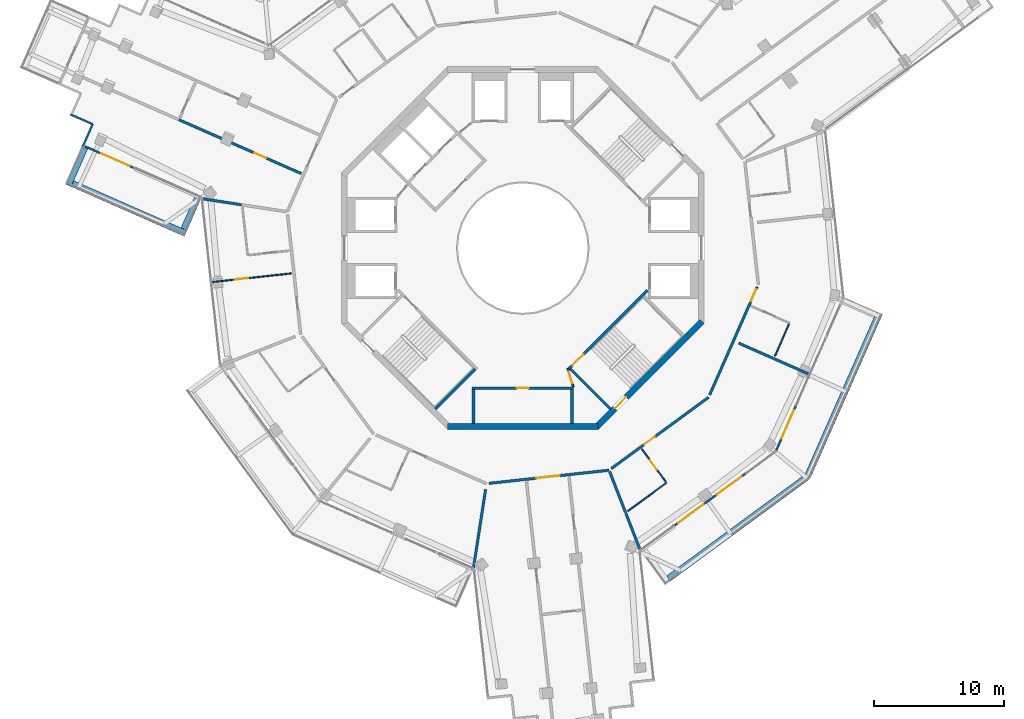
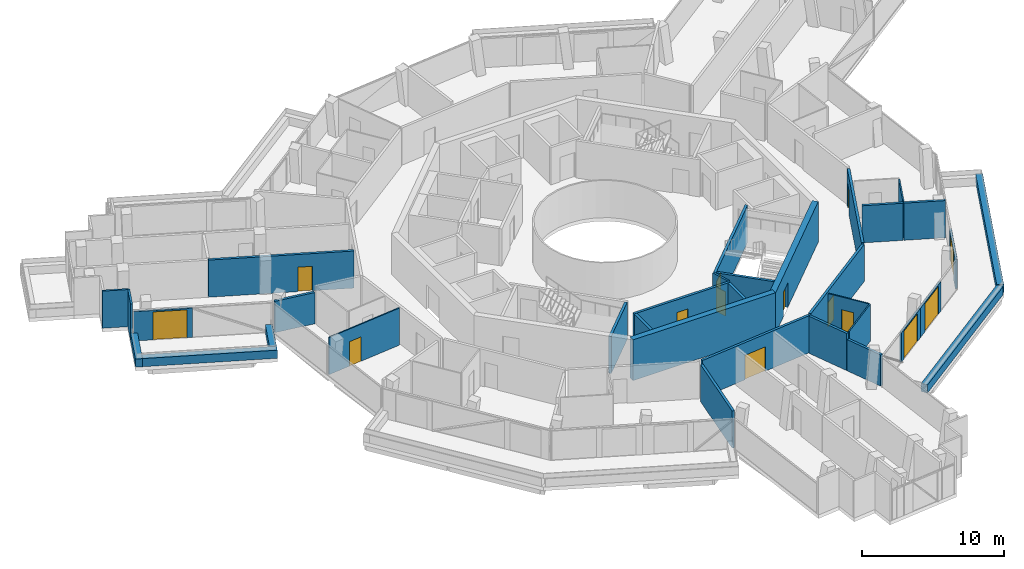
# One storey, part 17 of 24: 34 walls, 14 doors, 14 openings.
"""IFC4 building model written with IfcOpenShell, lengths in metres."""

from ifc_helpers import new_model, si_unit, direction, frame, frame_2d, origin, place, context, subcontext, project, spatial, rectangle, extrude, material, layer, layer_set, type_object, element, fill, save


model = new_model("IFC4")

# Units and contexts
model_context = context("Model", 3, precision=1e-05, world=origin(), true_north=direction((0.0, 1.0)))
body_context = subcontext(model_context, "Body", "Model", "MODEL_VIEW")
ifc_project = project(units=[si_unit("LENGTHUNIT", "METRE"), si_unit("AREAUNIT", "SQUARE_METRE"), si_unit("VOLUMEUNIT", "CUBIC_METRE"), si_unit("PLANEANGLEUNIT", "RADIAN"), si_unit("MASSUNIT", "GRAM", prefix="KILO")], contexts=[model_context])

# Site, building, storey
site_placement = place(None, origin())
site = spatial("IfcSite", under=ifc_project, at=site_placement, CompositionType="ELEMENT")
building_placement = place(site_placement, origin())
building = spatial("IfcBuilding", under=site, at=building_placement, Name="Verdalira Terraces Hotel", CompositionType="ELEMENT")
storey_placement = place(building_placement, frame((0.0, 0.0, 303.0)))
storey = spatial("IfcBuildingStorey", under=building, at=storey_placement, Name="L75", CompositionType="ELEMENT", Elevation=303.0)

# Walls
ifc_material_1 = material(Name="Concrete C40", Category="concrete")
ifc_layer_1 = layer(ifc_material_1, 0.5)
ifc_layer_set_1 = layer_set([ifc_layer_1], Name="Balcony planter trough with tree")
wall_type_1 = type_object("IfcWallType", Name="Balcony planter trough with tree", PredefinedType="SOLIDWALL", material=ifc_layer_set_1)
wall_1_placement = place(storey_placement, frame((-33.786621, 7.770508, 0.0), z_axis=(0.0, 0.0, 1.0), x_axis=(-0.4028716, -0.915256507, 0.0)))
element("IfcWall", 1, at=wall_1_placement, inside=storey, type_object=wall_type_1, Name="Balcony planter", PredefinedType="SOLIDWALL", context=body_context, shape_type="SweptSolid", body=[
    extrude(rectangle(XDim=3.198975, YDim=0.5, at=frame_2d((1.599609, 0.0))), origin(), (0.0, 0.0, 1.0), 0.699951),
])
wall_2_placement = place(storey_placement, frame((-34.74585, 4.970703, 0.0), z_axis=(0.0, 0.0, 1.0), x_axis=(0.915235059, -0.402920322, 0.0)))
element("IfcWall", 2, at=wall_2_placement, inside=storey, type_object=wall_type_1, Name="Balcony planter", PredefinedType="SOLIDWALL", context=body_context, shape_type="SweptSolid", body=[
    extrude(rectangle(XDim=9.545166, YDim=0.5, at=frame_2d((4.772461, 0.0))), origin(), (0.0, 0.0, 1.0), 0.699951),
])
wall_3_placement = place(storey_placement, frame((-26.137695, 1.454346, 0.0), z_axis=(0.0, 0.0, 1.0), x_axis=(0.402896241, 0.91524566, 0.0)))
element("IfcWall", 3, at=wall_3_placement, inside=storey, type_object=wall_type_1, Name="Balcony planter", PredefinedType="SOLIDWALL", context=body_context, shape_type="SweptSolid", body=[
    extrude(rectangle(XDim=2.698975, YDim=0.5, at=frame_2d((1.349609, 0.0))), origin(), (0.0, 0.0, 1.0), 0.699951),
])
wall_4_placement = place(storey_placement, frame((11.245361, -25.491943, 0.0), z_axis=(0.0, 0.0, 1.0), x_axis=(0.806549363, 0.591166749, 0.0)))
element("IfcWall", 4, at=wall_4_placement, inside=storey, type_object=wall_type_1, Name="Balcony planter", PredefinedType="SOLIDWALL", context=body_context, shape_type="SweptSolid", body=[
    extrude(rectangle(XDim=13.223633, YDim=0.5, at=frame_2d((6.611816, 0.0))), origin(), (0.0, 0.0, 1.0), 0.699951),
])
wall_5_placement = place(storey_placement, frame((21.991699, -17.57373, 0.0), z_axis=(0.0, 0.0, 1.0), x_axis=(0.402907326, 0.915240781, 0.0)))
element("IfcWall", 5, at=wall_5_placement, inside=storey, type_object=wall_type_1, Name="Balcony planter", PredefinedType="SOLIDWALL", context=body_context, shape_type="SweptSolid", body=[
    extrude(rectangle(XDim=13.723389, YDim=0.5, at=frame_2d((6.861816, 0.0))), origin(), (0.0, 0.0, 1.0), 0.699951),
])

# Wall, opening, door
ifc_material_2 = material(Name="Moisture-resistant gypsum board partition")
ifc_layer_2 = layer(ifc_material_2, 0.10009765625)
ifc_layer_set_2 = layer_set([ifc_layer_2], Name="Bathroom partition 100 mm")
wall_type_2 = type_object("IfcWallType", Name="Bathroom partition 100 mm", PredefinedType="PARTITIONING", material=ifc_layer_set_2)
wall_6_placement = place(storey_placement, frame((-23.965576, -2.620361, 0.0), z_axis=(0.0, 0.0, 1.0), x_axis=(0.994075847, 0.10868859, 0.0)))
wall_6 = element("IfcWall", 6, at=wall_6_placement, inside=storey, type_object=wall_type_2, Name="Bathroom partition", PredefinedType="PARTITIONING", context=body_context, shape_type="SweptSolid", body=[
    extrude(rectangle(XDim=6.150146, YDim=0.100098, at=frame_2d((3.075195, 0.0))), origin(), (0.0, 0.0, 1.0), 3.189941),
])
opening_1_placement = place(wall_6_placement, frame((1.800049, 0.0, 0.0)))
opening_1 = element("IfcOpeningElement", 7, at=opening_1_placement, cuts=wall_6, Name="Opening L75-106", PredefinedType="OPENING", context=body_context, shape_type="SweptSolid", body=[
    extrude(rectangle(XDim=1.0, YDim=2.100098, at=frame_2d((0.5, 1.050049))), frame((0.0, 0.060059, 0.0), z_axis=(0.0, -1.0, 0.0), x_axis=(1.0, 0.0, 0.0)), (0.0, 0.0, 1.0), 0.120117),
])
ifc_material_3 = material(Name="Timber door", Category="wood")
door_type_1 = type_object("IfcDoorType", Name="Suite internal door 1000 x 2100", OperationType="NOTDEFINED", PredefinedType="DOOR", material=ifc_material_3)
door_1_placement = place(opening_1_placement, origin())
door_1 = element("IfcDoor", 8, at=door_1_placement, inside=storey, type_object=door_type_1, Name="Suite internal door 7502", OperationType="SINGLE_SWING_LEFT", OverallHeight=2.10009765625, OverallWidth=1.0, PredefinedType="DOOR", context=body_context, shape_type="SweptSolid", body=[
    extrude(rectangle(XDim=1.0, YDim=2.100098, at=frame_2d((0.5, 1.050049))), frame((0.0, 0.024902, 0.0), z_axis=(0.0, -1.0, 0.0), x_axis=(1.0, 0.0, 0.0)), (0.0, 0.0, 1.0), 0.050049),
])
fill(opening_1, door_1)

# Wall
wall_7_placement = place(storey_placement, frame((11.090088, -18.104736, 0.0), z_axis=(0.0, 0.0, 1.0), x_axis=(-0.806587268, -0.59111503, 0.0)))
element("IfcWall", 9, at=wall_7_placement, inside=storey, type_object=wall_type_2, Name="Bathroom partition", PredefinedType="PARTITIONING", context=body_context, shape_type="SweptSolid", body=[
    extrude(rectangle(XDim=3.703857, YDim=0.100098, at=frame_2d((1.852051, 0.0))), origin(), (0.0, 0.0, 1.0), 3.189941),
])

# Wall, opening, door
wall_8_placement = place(storey_placement, frame((11.031006, -18.023926, 0.0), z_axis=(0.0, 0.0, 1.0), x_axis=(-0.5912066, 0.806520153, 0.0)))
wall_8 = element("IfcWall", 10, at=wall_8_placement, inside=storey, type_object=wall_type_2, Name="Bathroom partition", PredefinedType="PARTITIONING", context=body_context, shape_type="SweptSolid", body=[
    extrude(rectangle(XDim=3.100098, YDim=0.100098, at=frame_2d((1.550049, 0.0))), origin(), (0.0, 0.0, 1.0), 3.189941),
])
opening_2_placement = place(wall_8_placement, frame((1.149902, 0.0, 0.0)))
opening_2 = element("IfcOpeningElement", 11, at=opening_2_placement, cuts=wall_8, Name="Opening L75-117", PredefinedType="OPENING", context=body_context, shape_type="SweptSolid", body=[
    extrude(rectangle(XDim=0.899902, YDim=2.100098, at=frame_2d((0.449951, 1.050049))), frame((0.0, 0.060059, 0.0), z_axis=(0.0, -1.0, 0.0), x_axis=(1.0, 0.0, 0.0)), (0.0, 0.0, 1.0), 0.120117),
])
ifc_material_4 = material(Name="Timber door", Category="wood")
door_type_2 = type_object("IfcDoorType", Name="Bathroom door 900 x 2100", OperationType="NOTDEFINED", PredefinedType="DOOR", material=ifc_material_4)
door_2_placement = place(opening_2_placement, origin())
door_2 = element("IfcDoor", 12, at=door_2_placement, inside=storey, type_object=door_type_2, Name="Bathroom door 7506", OperationType="SINGLE_SWING_LEFT", OverallHeight=2.10009765625, OverallWidth=0.89990234375, PredefinedType="DOOR", context=body_context, shape_type="SweptSolid", body=[
    extrude(rectangle(XDim=0.899902, YDim=2.100098, at=frame_2d((0.449951, 1.050049))), frame((0.0, 0.024902, 0.0), z_axis=(0.0, -1.0, 0.0), x_axis=(1.0, 0.0, 0.0)), (0.0, 0.0, 1.0), 0.050049),
])
fill(opening_2, door_2)

# Wall
wall_9_placement = place(storey_placement, frame((20.533447, -5.870605, 0.0), z_axis=(0.0, 0.0, 1.0), x_axis=(-0.402914357, -0.915237685, 0.0)))
element("IfcWall", 13, at=wall_9_placement, inside=storey, type_object=wall_type_2, Name="Bathroom partition", PredefinedType="PARTITIONING", context=body_context, shape_type="SweptSolid", body=[
    extrude(rectangle(XDim=2.699951, YDim=0.100098, at=frame_2d((1.350098, 0.0))), origin(), (0.0, 0.0, 1.0), 3.189941),
])

# Wall, opening, door
ifc_material_5 = material(Name="Concrete C50", Category="concrete")
ifc_layer_3 = layer(ifc_material_5, 0.199951171875)
ifc_layer_set_3 = layer_set([ifc_layer_3], Name="Core RC wall 200 C50")
wall_type_3 = type_object("IfcWallType", Name="Core RC wall 200 C50", PredefinedType="SOLIDWALL", material=ifc_layer_set_3)
wall_10_placement = place(storey_placement, frame((-3.899902, -10.800049, 0.0), z_axis=(0.0, 0.0, 1.0), x_axis=(1.0, 0.0, 0.0)))
wall_10 = element("IfcWall", 14, at=wall_10_placement, inside=storey, type_object=wall_type_3, Name="L75 store front wall", PredefinedType="SOLIDWALL", context=body_context, shape_type="SweptSolid", body=[
    extrude(rectangle(XDim=7.799805, YDim=0.199951, at=frame_2d((3.899902, 0.0))), origin(), (0.0, 0.0, 1.0), 3.189941),
])
opening_3_placement = place(wall_10_placement, frame((3.449951, 0.0, 0.0)))
opening_3 = element("IfcOpeningElement", 15, at=opening_3_placement, cuts=wall_10, Name="Opening L75-801", PredefinedType="OPENING", context=body_context, shape_type="SweptSolid", body=[
    extrude(rectangle(XDim=0.899902, YDim=2.100098, at=frame_2d((0.449951, 1.050049))), frame((0.0, 0.109863, 0.0), z_axis=(0.0, -1.0, 0.0), x_axis=(1.0, 0.0, 0.0)), (0.0, 0.0, 1.0), 0.219971),
])
ifc_material_6 = material(Name="Steel fire door", Category="steel")
door_type_3 = type_object("IfcDoorType", Name="Core room door 900 x 2100", OperationType="NOTDEFINED", PredefinedType="DOOR", material=ifc_material_6)
door_3_placement = place(opening_3_placement, origin())
door_3 = element("IfcDoor", 16, at=door_3_placement, inside=storey, type_object=door_type_3, Name="Store door L75 SS", OperationType="SINGLE_SWING_LEFT", OverallHeight=2.10009765625, OverallWidth=0.89990234375, PredefinedType="DOOR", context=body_context, shape_type="SweptSolid", body=[
    extrude(rectangle(XDim=0.899902, YDim=2.100098, at=frame_2d((0.449951, 1.050049))), frame((0.0, 0.024902, 0.0), z_axis=(0.0, -1.0, 0.0), x_axis=(1.0, 0.0, 0.0)), (0.0, 0.0, 1.0), 0.050049),
])
fill(opening_3, door_3)

# Walls
for number, where, z_axis, x_axis, name in (
    (17, (-3.800049, -10.899902, 0.0), (0.0, 0.0, 1.0), (0.0, -1.0, 0.0), "L75 store side wall"),
    (18, (3.800049, -10.899902, 0.0), (0.0, 0.0, 1.0), (0.0, -1.0, 0.0), "L75 store side wall"),
):
    element("IfcWall", number, at=place(storey_placement, frame(where, z_axis=z_axis, x_axis=x_axis)), inside=storey, type_object=wall_type_3, Name=name, PredefinedType="SOLIDWALL", context=body_context, shape_type="SweptSolid", body=[
        extrude(rectangle(XDim=2.650146, YDim=0.199951, at=frame_2d((1.325195, 0.0))), origin(), (0.0, 0.0, 1.0), 3.189941),
    ])
wall_11_placement = place(storey_placement, frame((-3.677002, -9.33374, 0.0), z_axis=(0.0, 0.0, 1.0), x_axis=(-0.707106781, -0.707106781, 0.0)))
element("IfcWall", 19, at=wall_11_placement, inside=storey, type_object=wall_type_3, Name="L75 stair ST2 end wall 2", PredefinedType="SOLIDWALL", context=body_context, shape_type="SweptSolid", body=[
    extrude(rectangle(XDim=4.350098, YDim=0.199951, at=frame_2d((2.175049, 0.0))), origin(), (0.0, 0.0, 1.0), 3.189941),
])

# Wall, opening, door
wall_12_placement = place(storey_placement, frame((9.629395, -3.23999, 0.0), z_axis=(0.0, 0.0, 1.0), x_axis=(-0.707120946, -0.707092617, 0.0)))
wall_12 = element("IfcWall", 20, at=wall_12_placement, inside=storey, type_object=wall_type_3, Name="L75 stair ST3 front wall", PredefinedType="SOLIDWALL", context=body_context, shape_type="SweptSolid", body=[
    extrude(rectangle(XDim=8.61792, YDim=0.199951, at=frame_2d((4.309082, 0.0))), origin(), (0.0, 0.0, 1.0), 3.189941),
])
opening_4_placement = place(wall_12_placement, frame((7.017822, 0.0, 0.0)))
opening_4 = element("IfcOpeningElement", 21, at=opening_4_placement, cuts=wall_12, Name="Opening L75-812", PredefinedType="OPENING", context=body_context, shape_type="SweptSolid", body=[
    extrude(rectangle(XDim=1.199951, YDim=2.100098, at=frame_2d((0.600098, 1.050049))), frame((0.0, 0.109863, 0.0), z_axis=(0.0, -1.0, 0.0), x_axis=(1.0, 0.0, 0.0)), (0.0, 0.0, 1.0), 0.219971),
])
ifc_material_7 = material(Name="Steel fire door", Category="steel")
door_type_4 = type_object("IfcDoorType", Name="Stair door 1200 x 2100", OperationType="NOTDEFINED", PredefinedType="DOOR", material=ifc_material_7)
door_4_placement = place(opening_4_placement, origin())
door_4 = element("IfcDoor", 22, at=door_4_placement, inside=storey, type_object=door_type_4, Name="Stair door ST3 L75", OperationType="SINGLE_SWING_RIGHT", OverallHeight=2.10009765625, OverallWidth=1.199951171875, PredefinedType="DOOR", context=body_context, shape_type="SweptSolid", body=[
    extrude(rectangle(XDim=1.199951, YDim=2.100098, at=frame_2d((0.600098, 1.050049))), frame((0.0, 0.024902, 0.0), z_axis=(0.0, -1.0, 0.0), x_axis=(1.0, 0.0, 0.0)), (0.0, 0.0, 1.0), 0.050049),
])
fill(opening_4, door_4)

# Wall
wall_13_placement = place(storey_placement, frame((3.677002, -9.33374, 0.0), z_axis=(0.0, 0.0, 1.0), x_axis=(0.707106781, -0.707106781, 0.0)))
element("IfcWall", 23, at=wall_13_placement, inside=storey, type_object=wall_type_3, Name="L75 stair ST3 end wall 1", PredefinedType="SOLIDWALL", context=body_context, shape_type="SweptSolid", body=[
    extrude(rectangle(XDim=4.350098, YDim=0.199951, at=frame_2d((2.175049, 0.0))), origin(), (0.0, 0.0, 1.0), 3.189941),
])

# Wall, opening, door
ifc_material_8 = material(Name="Gypsum board partition")
ifc_layer_4 = layer(ifc_material_8, 0.14990234375)
ifc_layer_set_4 = layer_set([ifc_layer_4], Name="Core partition 150 mm")
wall_type_4 = type_object("IfcWallType", Name="Core partition 150 mm", PredefinedType="PARTITIONING", material=ifc_layer_set_4)
wall_14_placement = place(storey_placement, frame((3.899902, -10.699951, 0.0), z_axis=(0.0, 0.0, 1.0), x_axis=(-0.289808785, 0.957084567, 0.0)))
wall_14 = element("IfcWall", 24, at=wall_14_placement, inside=storey, type_object=wall_type_4, Name="Room partition L75", PredefinedType="PARTITIONING", context=body_context, shape_type="SweptSolid", body=[
    extrude(rectangle(XDim=1.501221, YDim=0.149902, at=frame_2d((0.750488, 0.0))), origin(), (0.0, 0.0, 1.0), 3.189941),
])
opening_5_placement = place(wall_14_placement, frame((0.300781, 0.0, 0.0)))
opening_5 = element("IfcOpeningElement", 25, at=opening_5_placement, cuts=wall_14, Name="Opening L75-822", PredefinedType="OPENING", context=body_context, shape_type="SweptSolid", body=[
    extrude(rectangle(XDim=0.899902, YDim=2.100098, at=frame_2d((0.449951, 1.050049))), frame((0.0, 0.084961, 0.0), z_axis=(0.0, -1.0, 0.0), x_axis=(1.0, 0.0, 0.0)), (0.0, 0.0, 1.0), 0.169922),
])
door_5_placement = place(opening_5_placement, origin())
door_5 = element("IfcDoor", 26, at=door_5_placement, inside=storey, type_object=door_type_3, Name="Door L75 room6", OperationType="SINGLE_SWING_LEFT", OverallHeight=2.10009765625, OverallWidth=0.89990234375, PredefinedType="DOOR", context=body_context, shape_type="SweptSolid", body=[
    extrude(rectangle(XDim=0.899902, YDim=2.100098, at=frame_2d((0.449951, 1.050049))), frame((0.0, 0.024902, 0.0), z_axis=(0.0, -1.0, 0.0), x_axis=(1.0, 0.0, 0.0)), (0.0, 0.0, 1.0), 0.050049),
])
fill(opening_5, door_5)

# Wall
ifc_material_9 = material(Name="Concrete C50", Category="concrete")
ifc_layer_5 = layer(ifc_material_9, 0.449951171875)
ifc_layer_set_5 = layer_set([ifc_layer_5], Name="Core wall 450 C50")
wall_type_5 = type_object("IfcWallType", Name="Core wall 450 C50", PredefinedType="SHEAR", material=ifc_layer_set_5)
wall_15_placement = place(storey_placement, frame((-5.799072, -13.774902, 0.0), z_axis=(0.0, 0.0, 1.0), x_axis=(1.0, 0.0, 0.0)))
element("IfcWall", 27, at=wall_15_placement, inside=storey, type_object=wall_type_5, Name="Core wall CW-L75-7", PredefinedType="SHEAR", context=body_context, shape_type="SweptSolid", body=[
    extrude(rectangle(XDim=11.598145, YDim=0.449951, at=frame_2d((5.799072, 0.0))), origin(), (0.0, 0.0, 1.0), 3.5),
])

# Wall, opening, door
wall_16_placement = place(storey_placement, frame((5.639893, -13.84082, 0.0), z_axis=(0.0, 0.0, 1.0), x_axis=(0.707106781, 0.707106781, 0.0)))
wall_16 = element("IfcWall", 28, at=wall_16_placement, inside=storey, type_object=wall_type_5, Name="Core wall CW-L75-8", PredefinedType="SHEAR", context=body_context, shape_type="SweptSolid", body=[
    extrude(rectangle(XDim=11.5979, YDim=0.449951, at=frame_2d((5.798828, 0.0))), origin(), (0.0, 0.0, 1.0), 3.5),
])
opening_6_placement = place(wall_16_placement, frame((2.099121, 0.0, 0.0)))
opening_6 = element("IfcOpeningElement", 29, at=opening_6_placement, cuts=wall_16, Name="Opening L75-818", PredefinedType="OPENING", context=body_context, shape_type="SweptSolid", body=[
    extrude(rectangle(XDim=1.199951, YDim=2.100098, at=frame_2d((0.600098, 1.050049))), frame((0.0, 0.234863, 0.0), z_axis=(0.0, -1.0, 0.0), x_axis=(1.0, 0.0, 0.0)), (0.0, 0.0, 1.0), 0.469971),
])
door_6_placement = place(opening_6_placement, origin())
door_6 = element("IfcDoor", 30, at=door_6_placement, inside=storey, type_object=door_type_4, Name="Stair exit door ST3 L75", OperationType="SINGLE_SWING_LEFT", OverallHeight=2.10009765625, OverallWidth=1.199951171875, PredefinedType="DOOR", context=body_context, shape_type="SweptSolid", body=[
    extrude(rectangle(XDim=1.199951, YDim=2.100098, at=frame_2d((0.600098, 1.050049))), frame((0.0, 0.024902, 0.0), z_axis=(0.0, -1.0, 0.0), x_axis=(1.0, 0.0, 0.0)), (0.0, 0.0, 1.0), 0.050049),
])
fill(opening_6, door_6)

ifc_material_10 = material(Name="Fire-rated gypsum board wall")
ifc_layer_6 = layer(ifc_material_10, 0.199951171875)
ifc_layer_set_6 = layer_set([ifc_layer_6], Name="Demising wall 200 mm")
wall_type_6 = type_object("IfcWallType", Name="Demising wall 200 mm", PredefinedType="SOLIDWALL", material=ifc_layer_set_6)
wall_17_placement = place(storey_placement, frame((-17.090332, 5.749512, 0.0), z_axis=(0.0, 0.0, 1.0), x_axis=(-0.915247229, 0.402892678, 0.0)))
wall_17 = element("IfcWall", 31, at=wall_17_placement, inside=storey, type_object=wall_type_6, Name="Demising wall", PredefinedType="SOLIDWALL", context=body_context, shape_type="SweptSolid", body=[
    extrude(rectangle(XDim=10.302002, YDim=0.199951, at=frame_2d((5.150879, 0.0))), origin(), (0.0, 0.0, 1.0), 3.189941),
])
opening_7_placement = place(wall_17_placement, frame((2.949951, 0.0, 0.0)))
opening_7 = element("IfcOpeningElement", 32, at=opening_7_placement, cuts=wall_17, Name="Opening L75-103", PredefinedType="OPENING", context=body_context, shape_type="SweptSolid", body=[
    extrude(rectangle(XDim=1.0, YDim=2.100098, at=frame_2d((0.5, 1.050049))), frame((0.0, 0.109863, 0.0), z_axis=(0.0, -1.0, 0.0), x_axis=(1.0, 0.0, 0.0)), (0.0, 0.0, 1.0), 0.219971),
])
ifc_material_11 = material(Name="Timber fire door", Category="wood")
door_type_5 = type_object("IfcDoorType", Name="Public room door 1000 x 2100", OperationType="NOTDEFINED", PredefinedType="DOOR", material=ifc_material_11)
door_7_placement = place(opening_7_placement, origin())
door_7 = element("IfcDoor", 33, at=door_7_placement, inside=storey, type_object=door_type_5, Name="Public room door 7501", OperationType="SINGLE_SWING_LEFT", OverallHeight=2.10009765625, OverallWidth=1.0, PredefinedType="DOOR", context=body_context, shape_type="SweptSolid", body=[
    extrude(rectangle(XDim=1.0, YDim=2.100098, at=frame_2d((0.5, 1.050049))), frame((0.0, 0.024902, 0.0), z_axis=(0.0, -1.0, 0.0), x_axis=(1.0, 0.0, 0.0)), (0.0, 0.0, 1.0), 0.050049),
])
fill(opening_7, door_7)

# Walls
wall_18_placement = place(storey_placement, frame((-3.802002, -24.672852, 0.0), z_axis=(0.0, 0.0, 1.0), x_axis=(0.152326438, 0.988330237, 0.0)))
element("IfcWall", 34, at=wall_18_placement, inside=storey, type_object=wall_type_6, Name="Demising wall", PredefinedType="SOLIDWALL", context=body_context, shape_type="SweptSolid", body=[
    extrude(rectangle(XDim=6.13208, YDim=0.199951, at=frame_2d((3.065918, 0.0))), origin(), (0.0, 0.0, 1.0), 3.189941),
])
wall_19_placement = place(storey_placement, frame((6.697998, -17.232422, 0.0), z_axis=(0.0, 0.0, 1.0), x_axis=(0.362236017, -0.932086406, 0.0)))
element("IfcWall", 35, at=wall_19_placement, inside=storey, type_object=wall_type_6, Name="Demising wall", PredefinedType="SOLIDWALL", context=body_context, shape_type="SweptSolid", body=[
    extrude(rectangle(XDim=3.418457, YDim=0.199951, at=frame_2d((1.709229, 0.0))), origin(), (0.0, 0.0, 1.0), 3.189941),
])
wall_20_placement = place(storey_placement, frame((16.662598, -7.335205, 0.0), z_axis=(0.0, 0.0, 1.0), x_axis=(0.915227017, -0.402938591, 0.0)))
element("IfcWall", 36, at=wall_20_placement, inside=storey, type_object=wall_type_6, Name="Demising wall", PredefinedType="SOLIDWALL", context=body_context, shape_type="SweptSolid", body=[
    extrude(rectangle(XDim=2.904785, YDim=0.199951, at=frame_2d((1.452393, 0.0))), origin(), (0.0, 0.0, 1.0), 3.189941),
])
wall_21_placement = place(storey_placement, frame((19.363037, -8.523926, 0.0), z_axis=(0.0, 0.0, 1.0), x_axis=(0.915238191, -0.402913208, 0.0)))
element("IfcWall", 37, at=wall_21_placement, inside=storey, type_object=wall_type_6, Name="Demising wall", PredefinedType="SOLIDWALL", context=body_context, shape_type="SweptSolid", body=[
    extrude(rectangle(XDim=2.952148, YDim=0.199951, at=frame_2d((1.476074, 0.0))), origin(), (0.0, 0.0, 1.0), 3.189941),
])
ifc_material_12 = material(Name="Fire-rated gypsum board wall")
ifc_layer_7 = layer(ifc_material_12, 0.199951171875)
ifc_layer_set_7 = layer_set([ifc_layer_7], Name="Demising wall 200 mm to beam soffit")
wall_type_7 = type_object("IfcWallType", Name="Demising wall 200 mm to beam soffit", PredefinedType="SOLIDWALL", material=ifc_layer_set_7)
for number, where, z_axis, x_axis, name in (
    (38, (-21.696533, 3.343262, 0.0), (0.0, 0.0, 1.0), (-0.988329484, 0.152331318, 0.0), "Demising wall"),
    (39, (7.952881, -20.461426, 0.0), (0.0, 0.0, 1.0), (0.362301505, -0.932060953, 0.0), "Demising wall"),
):
    element("IfcWall", number, at=place(storey_placement, frame(where, z_axis=z_axis, x_axis=x_axis)), inside=storey, type_object=wall_type_7, Name=name, PredefinedType="SOLIDWALL", context=body_context, shape_type="SweptSolid", body=[
        extrude(rectangle(XDim=3.011475, YDim=0.199951, at=frame_2d((1.505859, 0.0))), origin(), (0.0, 0.0, 1.0), 2.689941),
    ])

# Wall, opening, door
ifc_material_13 = material(Name="Fire-rated gypsum board wall")
ifc_layer_8 = layer(ifc_material_13, 0.199951171875)
ifc_layer_set_8 = layer_set([ifc_layer_8], Name="Guest corridor wall 200 mm")
wall_type_8 = type_object("IfcWallType", Name="Guest corridor wall 200 mm", PredefinedType="SOLIDWALL", material=ifc_layer_set_8)
wall_22_placement = place(storey_placement, frame((6.6604, -17.135986, 0.0), z_axis=(0.0, 0.0, 1.0), x_axis=(-0.994074922, -0.108697055, 0.0)))
wall_22 = element("IfcWall", 40, at=wall_22_placement, inside=storey, type_object=wall_type_8, Name="Guest corridor wall", PredefinedType="SOLIDWALL", context=body_context, shape_type="SweptSolid", body=[
    extrude(rectangle(XDim=9.31665, YDim=0.199951, at=frame_2d((4.658203, 0.0))), origin(), (0.0, 0.0, 1.0), 3.189941),
])
opening_8_placement = place(wall_22_placement, frame((3.834717, 0.0, 0.0)))
opening_8 = element("IfcOpeningElement", 41, at=opening_8_placement, cuts=wall_22, Name="Opening L75-112", PredefinedType="OPENING", context=body_context, shape_type="SweptSolid", body=[
    extrude(rectangle(XDim=1.800049, YDim=2.100098, at=frame_2d((0.899902, 1.050049))), frame((0.0, 0.109863, 0.0), z_axis=(0.0, -1.0, 0.0), x_axis=(1.0, 0.0, 0.0)), (0.0, 0.0, 1.0), 0.219971),
])
ifc_material_14 = material(Name="Timber fire door", Category="wood")
door_type_6 = type_object("IfcDoorType", Name="Public room double door 1800 x 2100", OperationType="NOTDEFINED", PredefinedType="DOOR", material=ifc_material_14)
door_8_placement = place(opening_8_placement, origin())
door_8 = element("IfcDoor", 42, at=door_8_placement, inside=storey, type_object=door_type_6, Name="Public room double door 7505", OperationType="DOUBLE_DOOR_SINGLE_SWING", OverallHeight=2.10009765625, OverallWidth=1.800048828125, PredefinedType="DOOR", context=body_context, shape_type="SweptSolid", body=[
    extrude(rectangle(XDim=1.800049, YDim=2.100098, at=frame_2d((0.899902, 1.050049))), frame((0.0, 0.024902, 0.0), z_axis=(0.0, -1.0, 0.0), x_axis=(1.0, 0.0, 0.0)), (0.0, 0.0, 1.0), 0.050049),
])
fill(opening_8, door_8)

wall_23_placement = place(storey_placement, frame((14.335693, -11.510254, 0.0), z_axis=(0.0, 0.0, 1.0), x_axis=(-0.806552438, -0.591162553, 0.0)))
wall_23 = element("IfcWall", 43, at=wall_23_placement, inside=storey, type_object=wall_type_8, Name="Guest corridor wall", PredefinedType="SOLIDWALL", context=body_context, shape_type="SweptSolid", body=[
    extrude(rectangle(XDim=9.316162, YDim=0.199951, at=frame_2d((4.658203, 0.0))), origin(), (0.0, 0.0, 1.0), 3.189941),
])
opening_9_placement = place(wall_23_placement, frame((5.149902, 0.0, 0.0)))
opening_9 = element("IfcOpeningElement", 44, at=opening_9_placement, cuts=wall_23, Name="Opening L75-116", PredefinedType="OPENING", context=body_context, shape_type="SweptSolid", body=[
    extrude(rectangle(XDim=1.0, YDim=2.100098, at=frame_2d((0.5, 1.050049))), frame((0.0, 0.109863, 0.0), z_axis=(0.0, -1.0, 0.0), x_axis=(1.0, 0.0, 0.0)), (0.0, 0.0, 1.0), 0.219971),
])
ifc_material_15 = material(Name="Timber fire door", Category="wood")
door_type_7 = type_object("IfcDoorType", Name="Guest entry door 1000 x 2100", OperationType="NOTDEFINED", PredefinedType="DOOR", material=ifc_material_15)
door_9_placement = place(opening_9_placement, origin())
door_9 = element("IfcDoor", 45, at=door_9_placement, inside=storey, type_object=door_type_7, Name="Guest entry door 7506", OperationType="SINGLE_SWING_LEFT", OverallHeight=2.10009765625, OverallWidth=1.0, PredefinedType="DOOR", context=body_context, shape_type="SweptSolid", body=[
    extrude(rectangle(XDim=1.0, YDim=2.100098, at=frame_2d((0.5, 1.050049))), frame((0.0, 0.024902, 0.0), z_axis=(0.0, -1.0, 0.0), x_axis=(1.0, 0.0, 0.0)), (0.0, 0.0, 1.0), 0.050049),
])
fill(opening_9, door_9)

wall_24_placement = place(storey_placement, frame((18.0896, -2.983398, 0.0), z_axis=(0.0, 0.0, 1.0), x_axis=(-0.402915421, -0.915237217, 0.0)))
wall_24 = element("IfcWall", 46, at=wall_24_placement, inside=storey, type_object=wall_type_8, Name="Guest corridor wall", PredefinedType="SOLIDWALL", context=body_context, shape_type="SweptSolid", body=[
    extrude(rectangle(XDim=9.115723, YDim=0.199951, at=frame_2d((4.557861, 0.0))), origin(), (0.0, 0.0, 1.0), 3.189941),
])
opening_10_placement = place(wall_24_placement, frame((0.199951, 0.0, 0.0)))
opening_10 = element("IfcOpeningElement", 47, at=opening_10_placement, cuts=wall_24, Name="Opening L75-118", PredefinedType="OPENING", context=body_context, shape_type="SweptSolid", body=[
    extrude(rectangle(XDim=1.0, YDim=2.100098, at=frame_2d((0.5, 1.050049))), frame((0.0, 0.109863, 0.0), z_axis=(0.0, -1.0, 0.0), x_axis=(1.0, 0.0, 0.0)), (0.0, 0.0, 1.0), 0.219971),
])
door_10_placement = place(opening_10_placement, origin())
door_10 = element("IfcDoor", 48, at=door_10_placement, inside=storey, type_object=door_type_7, Name="Guest entry door 7507", OperationType="SINGLE_SWING_LEFT", OverallHeight=2.10009765625, OverallWidth=1.0, PredefinedType="DOOR", context=body_context, shape_type="SweptSolid", body=[
    extrude(rectangle(XDim=1.0, YDim=2.100098, at=frame_2d((0.5, 1.050049))), frame((0.0, 0.024902, 0.0), z_axis=(0.0, -1.0, 0.0), x_axis=(1.0, 0.0, 0.0)), (0.0, 0.0, 1.0), 0.050049),
])
fill(opening_10, door_10)

# Walls
ifc_material_16 = material(Name="Terracotta cladding", Category="masonry")
ifc_layer_9 = layer(ifc_material_16, 0.14990234375)
ifc_layer_set_9 = layer_set([ifc_layer_9], Name="Terracotta clad wall 150")
wall_type_9 = type_object("IfcWallType", Name="Terracotta clad wall 150", PredefinedType="SOLIDWALL", material=ifc_layer_set_9)
for number, where, z_axis, x_axis, name in (
    (49, (-34.906982, 10.313477, 0.0), (0.0, 0.0, 1.0), (0.915207485, -0.402982952, 0.0), "Terracotta cladding wall"),
    (50, (-33.190918, 9.557861, 0.0), (0.0, 0.0, 1.0), (-0.402873883, -0.915255502, 0.0), "Terracotta cladding wall"),
):
    element("IfcWall", number, at=place(storey_placement, frame(where, z_axis=z_axis, x_axis=x_axis)), inside=storey, type_object=wall_type_9, Name=name, PredefinedType="SOLIDWALL", context=body_context, shape_type="SweptSolid", body=[
        extrude(rectangle(XDim=1.875, YDim=0.149902, at=frame_2d((0.9375, 0.0))), origin(), (0.0, 0.0, 1.0), 3.189941),
    ])

# Wall, opening, door
ifc_material_17 = material(Name="Terracotta cladding", Category="masonry")
ifc_layer_10 = layer(ifc_material_17, 0.14990234375)
ifc_layer_set_10 = layer_set([ifc_layer_10], Name="Terracotta door pier 150")
wall_type_10 = type_object("IfcWallType", Name="Terracotta door pier 150", PredefinedType="SOLIDWALL", material=ifc_layer_set_10)
wall_25_placement = place(storey_placement, frame((-33.783447, 7.852051, 0.0), z_axis=(0.0, 0.0, 1.0), x_axis=(0.915243545, -0.402901047, 0.0)))
wall_25 = element("IfcWall", 51, at=wall_25_placement, inside=storey, type_object=wall_type_10, Name="Terracotta door pier", PredefinedType="SOLIDWALL", context=body_context, shape_type="SweptSolid", body=[
    extrude(rectangle(XDim=4.18042, YDim=0.149902, at=frame_2d((2.090332, 0.0))), origin(), (0.0, 0.0, 1.0), 2.524902),
])
opening_11_placement = place(wall_25_placement, frame((1.380371, 0.0, 0.0)))
opening_11 = element("IfcOpeningElement", 52, at=opening_11_placement, cuts=wall_25, Name="Opening L75-B03", PredefinedType="OPENING", context=body_context, shape_type="SweptSolid", body=[
    extrude(rectangle(XDim=2.399902, YDim=2.399902, at=frame_2d((1.199951, 1.199951))), frame((0.0, 0.084961, 0.0), z_axis=(0.0, -1.0, 0.0), x_axis=(1.0, 0.0, 0.0)), (0.0, 0.0, 1.0), 0.169922),
])
ifc_material_18 = material(Name="Clear glass", Category="glass")
door_type_8 = type_object("IfcDoorType", Name="Balcony sliding door 2400x2400", OperationType="NOTDEFINED", PredefinedType="DOOR", material=ifc_material_18)
door_11_placement = place(opening_11_placement, origin())
door_11 = element("IfcDoor", 53, at=door_11_placement, inside=storey, type_object=door_type_8, Name="Balcony sliding door", OperationType="SLIDING_TO_LEFT", OverallHeight=2.39990234375, OverallWidth=2.39990234375, PredefinedType="DOOR", context=body_context, shape_type="SweptSolid", body=[
    extrude(rectangle(XDim=2.399902, YDim=2.399902, at=frame_2d((1.199951, 1.199951))), frame((0.0, 0.024902, 0.0), z_axis=(0.0, -1.0, 0.0), x_axis=(1.0, 0.0, 0.0)), (0.0, 0.0, 1.0), 0.050049),
])
fill(opening_11, door_11)

wall_26_placement = place(storey_placement, frame((11.675049, -21.42627, 0.0), z_axis=(0.0, 0.0, 1.0), x_axis=(0.806576916, 0.591129156, 0.0)))
wall_26 = element("IfcWall", 54, at=wall_26_placement, inside=storey, type_object=wall_type_10, Name="Terracotta door pier", PredefinedType="SOLIDWALL", context=body_context, shape_type="SweptSolid", body=[
    extrude(rectangle(XDim=3.25, YDim=0.149902, at=frame_2d((1.625, 0.0))), origin(), (0.0, 0.0, 1.0), 2.524902),
])
opening_12_placement = place(wall_26_placement, frame((0.399902, 0.0, 0.0)))
opening_12 = element("IfcOpeningElement", 55, at=opening_12_placement, cuts=wall_26, Name="Opening L75-B08", PredefinedType="OPENING", context=body_context, shape_type="SweptSolid", body=[
    extrude(rectangle(XDim=2.399902, YDim=2.399902, at=frame_2d((1.199951, 1.199951))), frame((0.0, 0.084961, 0.0), z_axis=(0.0, -1.0, 0.0), x_axis=(1.0, 0.0, 0.0)), (0.0, 0.0, 1.0), 0.169922),
])
door_12_placement = place(opening_12_placement, origin())
door_12 = element("IfcDoor", 56, at=door_12_placement, inside=storey, type_object=door_type_8, Name="Balcony sliding door", OperationType="SLIDING_TO_RIGHT", OverallHeight=2.39990234375, OverallWidth=2.39990234375, PredefinedType="DOOR", context=body_context, shape_type="SweptSolid", body=[
    extrude(rectangle(XDim=2.399902, YDim=2.399902, at=frame_2d((1.199951, 1.199951))), frame((0.0, 0.024902, 0.0), z_axis=(0.0, -1.0, 0.0), x_axis=(1.0, 0.0, 0.0)), (0.0, 0.0, 1.0), 0.050049),
])
fill(opening_12, door_12)

wall_27_placement = place(storey_placement, frame((14.296387, -19.505127, 0.0), z_axis=(0.0, 0.0, 1.0), x_axis=(0.80652319, 0.591202456, 0.0)))
wall_27 = element("IfcWall", 57, at=wall_27_placement, inside=storey, type_object=wall_type_10, Name="Terracotta door pier", PredefinedType="SOLIDWALL", context=body_context, shape_type="SweptSolid", body=[
    extrude(rectangle(XDim=3.611328, YDim=0.149902, at=frame_2d((1.805664, 0.0))), origin(), (0.0, 0.0, 1.0), 2.524902),
])
opening_13_placement = place(wall_27_placement, frame((0.811279, 0.0, 0.0)))
opening_13 = element("IfcOpeningElement", 58, at=opening_13_placement, cuts=wall_27, Name="Opening L75-B09", PredefinedType="OPENING", context=body_context, shape_type="SweptSolid", body=[
    extrude(rectangle(XDim=2.399902, YDim=2.399902, at=frame_2d((1.199951, 1.199951))), frame((0.0, 0.084961, 0.0), z_axis=(0.0, -1.0, 0.0), x_axis=(1.0, 0.0, 0.0)), (0.0, 0.0, 1.0), 0.169922),
])
door_13_placement = place(opening_13_placement, origin())
door_13 = element("IfcDoor", 59, at=door_13_placement, inside=storey, type_object=door_type_8, Name="Balcony sliding door", OperationType="SLIDING_TO_LEFT", OverallHeight=2.39990234375, OverallWidth=2.39990234375, PredefinedType="DOOR", context=body_context, shape_type="SweptSolid", body=[
    extrude(rectangle(XDim=2.399902, YDim=2.399902, at=frame_2d((1.199951, 1.199951))), frame((0.0, 0.024902, 0.0), z_axis=(0.0, -1.0, 0.0), x_axis=(1.0, 0.0, 0.0)), (0.0, 0.0, 1.0), 0.050049),
])
fill(opening_13, door_13)

wall_28_placement = place(storey_placement, frame((19.555176, -15.601074, 0.0), z_axis=(0.0, 0.0, 1.0), x_axis=(0.40288769, 0.915249424, 0.0)))
wall_28 = element("IfcWall", 60, at=wall_28_placement, inside=storey, type_object=wall_type_10, Name="Terracotta door pier", PredefinedType="SOLIDWALL", context=body_context, shape_type="SweptSolid", body=[
    extrude(rectangle(XDim=3.786865, YDim=0.149902, at=frame_2d((1.893555, 0.0))), origin(), (0.0, 0.0, 1.0), 2.524902),
])
opening_14_placement = place(wall_28_placement, frame((0.986572, 0.0, 0.0)))
opening_14 = element("IfcOpeningElement", 61, at=opening_14_placement, cuts=wall_28, Name="Opening L75-B10", PredefinedType="OPENING", context=body_context, shape_type="SweptSolid", body=[
    extrude(rectangle(XDim=2.399902, YDim=2.399902, at=frame_2d((1.199951, 1.199951))), frame((0.0, 0.084961, 0.0), z_axis=(0.0, -1.0, 0.0), x_axis=(1.0, 0.0, 0.0)), (0.0, 0.0, 1.0), 0.169922),
])
door_14_placement = place(opening_14_placement, origin())
door_14 = element("IfcDoor", 62, at=door_14_placement, inside=storey, type_object=door_type_8, Name="Balcony sliding door", OperationType="SLIDING_TO_LEFT", OverallHeight=2.39990234375, OverallWidth=2.39990234375, PredefinedType="DOOR", context=body_context, shape_type="SweptSolid", body=[
    extrude(rectangle(XDim=2.399902, YDim=2.399902, at=frame_2d((1.199951, 1.199951))), frame((0.0, 0.024902, 0.0), z_axis=(0.0, -1.0, 0.0), x_axis=(1.0, 0.0, 0.0)), (0.0, 0.0, 1.0), 0.050049),
])
fill(opening_14, door_14)

save(model, "model.ifc")
